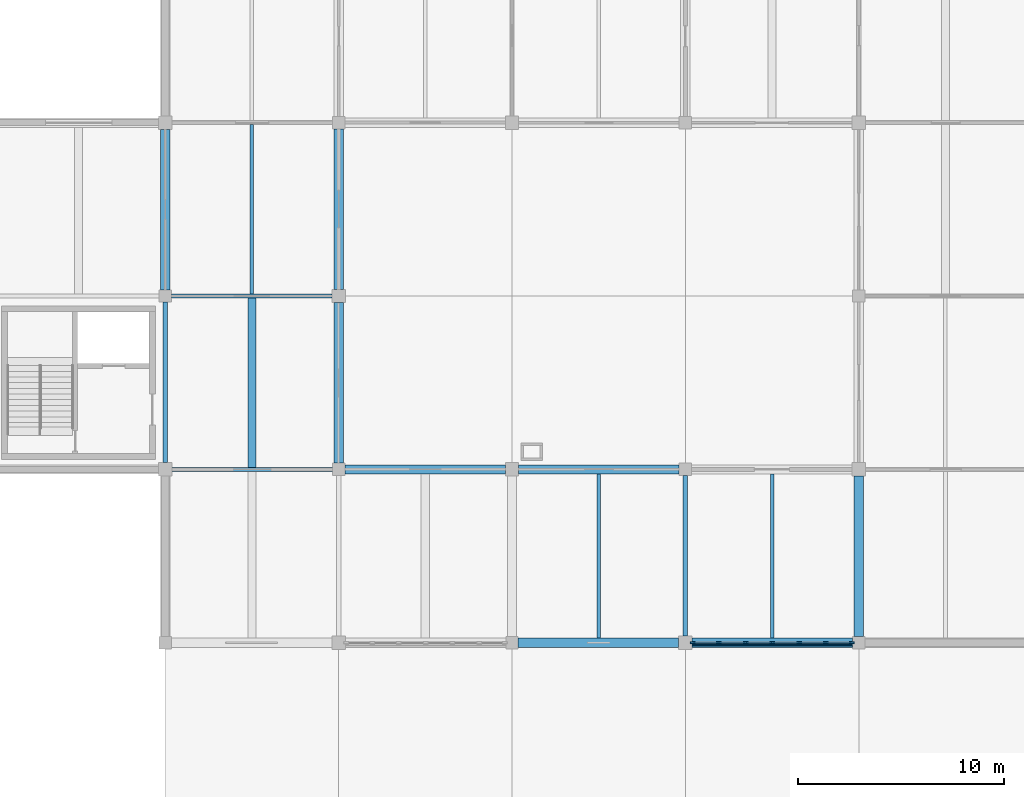
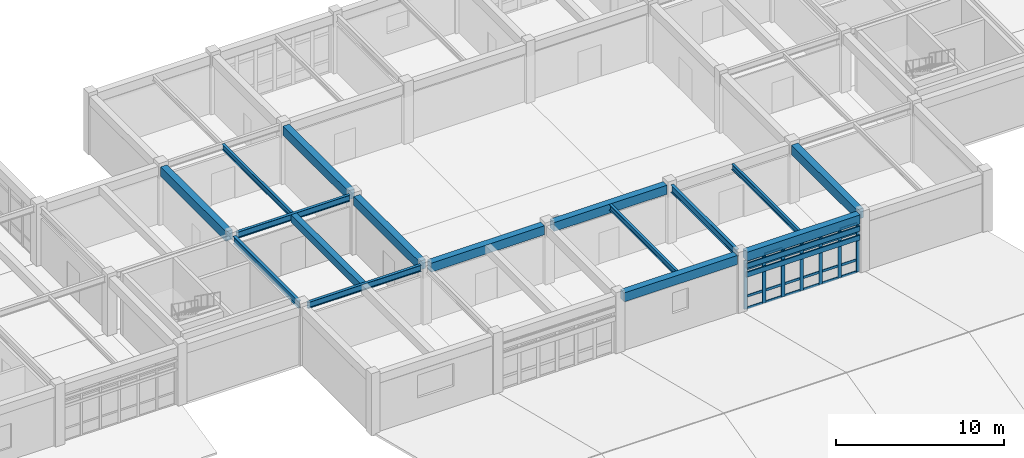
# One storey, part 7 of 78: 33 members, 16 beams, 1 element without a shape of its own.
"""IFC4 building model written with IfcOpenShell, lengths in metres."""

from ifc_helpers import new_model, si_unit, direction, frame, origin, origin_2d, place, context, subcontext, project, spatial, rectangle, i_section, extrude, material, layer, layer_set, material_profile, profile_set, type_object, element, aggregate, save


model = new_model("IFC4")

# Units and contexts
model_context = context("Model", 3, precision=1e-05, world=origin(), true_north=direction((0.0, 1.0)))
body_context = subcontext(model_context, "Body", "Model", "MODEL_VIEW")
ifc_project = project(units=[si_unit("LENGTHUNIT", "METRE"), si_unit("AREAUNIT", "SQUARE_METRE"), si_unit("VOLUMEUNIT", "CUBIC_METRE"), si_unit("PLANEANGLEUNIT", "RADIAN"), si_unit("MASSUNIT", "GRAM", prefix="KILO")], contexts=[model_context])

# Site, building, storey
site_placement = place(None, origin())
site = spatial("IfcSite", under=ifc_project, at=site_placement, CompositionType="ELEMENT")
building_placement = place(site_placement, origin())
building = spatial("IfcBuilding", under=site, at=building_placement, Name="Porcellanite Civic Hall", CompositionType="ELEMENT")
storey_placement = place(building_placement, frame((0.0, 0.0, 10.260009765625)))
storey = spatial("IfcBuildingStorey", under=building, at=storey_placement, Name="L02", CompositionType="ELEMENT", Elevation=10.260009765625)

# Beams
ifc_material_1 = material(Name="Concrete N50 (50 MPa)", Category="concrete")
ifc_material_profile_1 = material_profile(ifc_material_1, rectangle(XDim=0.39990234375, YDim=0.550048828125, at=origin_2d()), Name="RC-400x550")
ifc_profile_set_1 = profile_set([ifc_material_profile_1], Name="Concrete N50 (50 MPa)")
beam_type_1 = type_object("IfcBeamType", Name="BM-RC550", PredefinedType="JOIST", material=ifc_profile_set_1)
beam_1_placement = place(storey_placement, frame((71.39990234375, 50.494384765625, 3.965087890625), z_axis=(0.0, 1.0, 0.0), x_axis=(-1.0, 0.0, 0.0)))
element("IfcBeam", 1, at=beam_1_placement, inside=storey, type_object=beam_type_1, Name="Secondary joist L02 9-7", PredefinedType="JOIST", context=body_context, shape_type="SweptSolid", body=[
    extrude(rectangle(XDim=0.39990234375, YDim=0.550048828125, at=origin_2d()), origin(), (0.0, 0.0, 1.0), 8.211181640625),
])
ifc_material_2 = material(Name="Concrete N50 (50 MPa)", Category="concrete")
ifc_material_profile_2 = material_profile(ifc_material_2, rectangle(XDim=0.449951171875, YDim=0.64990234375, at=origin_2d()), Name="RC-450x650")
ifc_profile_set_2 = profile_set([ifc_material_profile_2], Name="Concrete N50 (50 MPa)")
beam_type_2 = type_object("IfcBeamType", Name="BM-RC650", PredefinedType="SPANDREL", material=ifc_profile_set_2)
beam_2_placement = place(storey_placement, frame((75.8994140625, 50.39990234375, 3.9150390625), z_axis=(1.0, 0.0, 0.0), x_axis=(0.0, 1.0, 0.0)))
element("IfcBeam", 2, at=beam_2_placement, inside=storey, type_object=beam_type_2, Name="Beam X L02 10-7", PredefinedType="SPANDREL", context=body_context, shape_type="SweptSolid", body=[
    extrude(rectangle(XDim=0.449951171875, YDim=0.64990234375, at=origin_2d()), origin(), (0.0, 0.0, 1.0), 7.776123046875),
])
beam_3_placement = place(storey_placement, frame((84.299560546875, 42.0, 3.9150390625), z_axis=(1.0, 0.0, 0.0), x_axis=(0.0, 1.0, 0.0)))
element("IfcBeam", 3, at=beam_3_placement, inside=storey, type_object=beam_type_2, Name="Beam X L02 11-6", PredefinedType="SPANDREL", context=body_context, shape_type="SweptSolid", body=[
    extrude(rectangle(XDim=0.449951171875, YDim=0.64990234375, at=origin_2d()), origin(), (0.0, 0.0, 1.0), 7.77587890625),
])
beam_4_placement = place(storey_placement, frame((84.324462890625, 50.39990234375, 3.9150390625), z_axis=(1.0, 0.0, 0.0), x_axis=(0.0, 1.0, 0.0)))
element("IfcBeam", 4, at=beam_4_placement, inside=storey, type_object=beam_type_2, Name="Beam X L02 11-7", PredefinedType="SPANDREL", context=body_context, shape_type="SweptSolid", body=[
    extrude(rectangle(XDim=0.449951171875, YDim=0.64990234375, at=origin_2d()), origin(), (0.0, 0.0, 1.0), 7.776123046875),
])
beam_5_placement = place(storey_placement, frame((92.724609375, 42.0, 3.9150390625), z_axis=(1.0, 0.0, 0.0), x_axis=(0.0, 1.0, 0.0)))
element("IfcBeam", 5, at=beam_5_placement, inside=storey, type_object=beam_type_2, Name="Beam X L02 12-6", PredefinedType="SPANDREL", context=body_context, shape_type="SweptSolid", body=[
    extrude(rectangle(XDim=0.449951171875, YDim=0.64990234375, at=origin_2d()), origin(), (0.0, 0.0, 1.0), 7.77587890625),
])
beam_6_placement = place(storey_placement, frame((75.60009765625, 50.699462890625, 3.9150390625), z_axis=(0.0, 1.0, 0.0), x_axis=(-1.0, 0.0, 0.0)))
element("IfcBeam", 6, at=beam_6_placement, inside=storey, type_object=beam_type_2, Name="Beam Y L02 10-7", PredefinedType="SPANDREL", context=body_context, shape_type="SweptSolid", body=[
    extrude(rectangle(XDim=0.449951171875, YDim=0.64990234375, at=origin_2d()), origin(), (0.0, 0.0, 1.0), 7.776123046875),
])
beam_7_placement = place(storey_placement, frame((75.60009765625, 59.12451171875, 3.9150390625), z_axis=(0.0, 1.0, 0.0), x_axis=(-1.0, 0.0, 0.0)))
element("IfcBeam", 7, at=beam_7_placement, inside=storey, type_object=beam_type_2, Name="Beam Y L02 10-8", PredefinedType="SPANDREL", context=body_context, shape_type="SweptSolid", body=[
    extrude(rectangle(XDim=0.449951171875, YDim=0.64990234375, at=origin_2d()), origin(), (0.0, 0.0, 1.0), 7.77587890625),
])
ifc_material_3 = material(Name="Concrete N50 (50 MPa)", Category="concrete")
ifc_material_profile_3 = material_profile(ifc_material_3, rectangle(XDim=0.449951171875, YDim=0.699951171875, at=origin_2d()), Name="RC-450x700")
ifc_profile_set_3 = profile_set([ifc_material_profile_3], Name="Concrete N50 (50 MPa)")
beam_type_3 = type_object("IfcBeamType", Name="BM-RC700", PredefinedType="BEAM", material=ifc_profile_set_3)
for number, where, z_axis, x_axis, name in (
    (8, (67.199951171875, 59.099609375, 3.889892578125), (0.0, 1.0, 0.0), (-1.0, 0.0, 0.0), "Beam Y L02 9-8"),
    (9, (100.800048828125, 42.299560546875, 3.889892578125), (0.0, 1.0, 0.0), (-1.0, 0.0, 0.0), "Beam Y L02 13-6"),
):
    element("IfcBeam", number, at=place(storey_placement, frame(where, z_axis=z_axis, x_axis=x_axis)), inside=storey, type_object=beam_type_3, Name=name, PredefinedType="BEAM", context=body_context, shape_type="SweptSolid", body=[
        extrude(rectangle(XDim=0.449951171875, YDim=0.699951171875, at=origin_2d()), origin(), (0.0, 0.0, 1.0), 7.77587890625),
    ])

# Curtain wall, members
ifc_material_4 = material(Name="Anodised aluminium and solar laminated glass", Category="aluminium")
ifc_layer = layer(ifc_material_4, 0.179931640625)
ifc_layer_set = layer_set([ifc_layer], Name="Anodised aluminium and solar laminated glass")
curtain_wall_type = type_object("IfcCurtainWallType", Name="CW-SYS01", PredefinedType="NOTDEFINED", material=ifc_layer_set)
curtain_wall_placement = place(storey_placement, origin())
curtain_wall = element("IfcCurtainWall", 10, at=curtain_wall_placement, inside=storey, type_object=curtain_wall_type, Name="Curtain wall CW-156", PredefinedType="NOTDEFINED")
ifc_material_5 = material(Name="Anodised aluminium 6063-T6", Category="aluminium")
ifc_material_profile_4 = material_profile(ifc_material_5, rectangle(XDim=0.080078125, YDim=0.239990234375, at=origin_2d()), Name="AL-80x240")
ifc_profile_set_4 = profile_set([ifc_material_profile_4], Name="Anodised aluminium 6063-T6")
member_type_1 = type_object("IfcMemberType", Name="CWM-01", PredefinedType="MULLION", material=ifc_profile_set_4)
member_1_placement = place(storey_placement, frame((100.458984375, 42.0, 0.0), z_axis=(0.0, 0.0, 1.0), x_axis=(0.0, -1.0, 0.0)))
member_1 = element("IfcMember", 11, at=member_1_placement, type_object=member_type_1, Name="CW-156 mullion 1", PredefinedType="MULLION", context=body_context, shape_type="SweptSolid", body=[
    extrude(rectangle(XDim=0.080078125, YDim=0.239990234375, at=origin_2d()), origin(), (0.0, 0.0, 1.0), 3.5400390625),
])
member_2_placement = place(storey_placement, frame((99.20361328125, 42.0, 0.0), z_axis=(0.0, 0.0, 1.0), x_axis=(0.0, -1.0, 0.0)))
member_2 = element("IfcMember", 12, at=member_2_placement, type_object=member_type_1, Name="CW-156 mullion 2", PredefinedType="MULLION", context=body_context, shape_type="SweptSolid", body=[
    extrude(rectangle(XDim=0.080078125, YDim=0.239990234375, at=origin_2d()), origin(), (0.0, 0.0, 1.0), 3.5400390625),
])
member_3_placement = place(storey_placement, frame((97.907958984375, 42.0, 0.0), z_axis=(0.0, 0.0, 1.0), x_axis=(0.0, -1.0, 0.0)))
member_3 = element("IfcMember", 13, at=member_3_placement, type_object=member_type_1, Name="CW-156 mullion 3", PredefinedType="MULLION", context=body_context, shape_type="SweptSolid", body=[
    extrude(rectangle(XDim=0.080078125, YDim=0.239990234375, at=origin_2d()), origin(), (0.0, 0.0, 1.0), 3.5400390625),
])
member_4_placement = place(storey_placement, frame((96.612548828125, 42.0, 0.0), z_axis=(0.0, 0.0, 1.0), x_axis=(0.0, -1.0, 0.0)))
member_4 = element("IfcMember", 14, at=member_4_placement, type_object=member_type_1, Name="CW-156 mullion 4", PredefinedType="MULLION", context=body_context, shape_type="SweptSolid", body=[
    extrude(rectangle(XDim=0.080078125, YDim=0.239990234375, at=origin_2d()), origin(), (0.0, 0.0, 1.0), 3.5400390625),
])
member_5_placement = place(storey_placement, frame((95.31689453125, 42.0, 0.0), z_axis=(0.0, 0.0, 1.0), x_axis=(0.0, -1.0, 0.0)))
member_5 = element("IfcMember", 15, at=member_5_placement, type_object=member_type_1, Name="CW-156 mullion 5", PredefinedType="MULLION", context=body_context, shape_type="SweptSolid", body=[
    extrude(rectangle(XDim=0.080078125, YDim=0.239990234375, at=origin_2d()), origin(), (0.0, 0.0, 1.0), 3.5400390625),
])
member_6_placement = place(storey_placement, frame((94.021484375, 42.0, 0.0), z_axis=(0.0, 0.0, 1.0), x_axis=(0.0, -1.0, 0.0)))
member_6 = element("IfcMember", 16, at=member_6_placement, type_object=member_type_1, Name="CW-156 mullion 6", PredefinedType="MULLION", context=body_context, shape_type="SweptSolid", body=[
    extrude(rectangle(XDim=0.080078125, YDim=0.239990234375, at=origin_2d()), origin(), (0.0, 0.0, 1.0), 3.5400390625),
])
member_7_placement = place(storey_placement, frame((92.76611328125, 42.0, 0.0), z_axis=(0.0, 0.0, 1.0), x_axis=(0.0, -1.0, 0.0)))
member_7 = element("IfcMember", 17, at=member_7_placement, type_object=member_type_1, Name="CW-156 mullion 7", PredefinedType="MULLION", context=body_context, shape_type="SweptSolid", body=[
    extrude(rectangle(XDim=0.080078125, YDim=0.239990234375, at=origin_2d()), origin(), (0.0, 0.0, 1.0), 3.5400390625),
])
ifc_material_6 = material(Name="Anodised aluminium 6063-T6", Category="aluminium")
ifc_material_profile_5 = material_profile(ifc_material_6, rectangle(XDim=0.070068359375, YDim=0.175048828125, at=origin_2d()), Name="AL-70x175")
ifc_profile_set_5 = profile_set([ifc_material_profile_5], Name="Anodised aluminium 6063-T6")
member_type_2 = type_object("IfcMemberType", Name="CWT-01", PredefinedType="USERDEFINED", material=ifc_profile_set_5)
member_8_placement = place(storey_placement, frame((100.4189453125, 42.0, 0.034912109375), z_axis=(-1.0, 0.0, 0.0), x_axis=(0.0, -1.0, 0.0)))
member_8 = element("IfcMember", 18, at=member_8_placement, type_object=member_type_2, Name="CW-156 transom 1.1", ObjectType="TRANSOM", PredefinedType="USERDEFINED", context=body_context, shape_type="SweptSolid", body=[
    extrude(rectangle(XDim=0.070068359375, YDim=0.175048828125, at=origin_2d()), origin(), (0.0, 0.0, 1.0), 1.175537109375),
])
member_9_placement = place(storey_placement, frame((100.4189453125, 42.0, 0.89990234375), z_axis=(-1.0, 0.0, 0.0), x_axis=(0.0, -1.0, 0.0)))
member_9 = element("IfcMember", 19, at=member_9_placement, type_object=member_type_2, Name="CW-156 transom 1.2", ObjectType="TRANSOM", PredefinedType="USERDEFINED", context=body_context, shape_type="SweptSolid", body=[
    extrude(rectangle(XDim=0.070068359375, YDim=0.175048828125, at=origin_2d()), origin(), (0.0, 0.0, 1.0), 1.175537109375),
])
member_10_placement = place(storey_placement, frame((100.4189453125, 42.0, 2.889892578125), z_axis=(-1.0, 0.0, 0.0), x_axis=(0.0, -1.0, 0.0)))
member_10 = element("IfcMember", 20, at=member_10_placement, type_object=member_type_2, Name="CW-156 transom 1.3", ObjectType="TRANSOM", PredefinedType="USERDEFINED", context=body_context, shape_type="SweptSolid", body=[
    extrude(rectangle(XDim=0.070068359375, YDim=0.175048828125, at=origin_2d()), origin(), (0.0, 0.0, 1.0), 1.175537109375),
])
member_11_placement = place(storey_placement, frame((100.4189453125, 42.0, 3.5048828125), z_axis=(-1.0, 0.0, 0.0), x_axis=(0.0, -1.0, 0.0)))
member_11 = element("IfcMember", 21, at=member_11_placement, type_object=member_type_2, Name="CW-156 transom 1.4", ObjectType="TRANSOM", PredefinedType="USERDEFINED", context=body_context, shape_type="SweptSolid", body=[
    extrude(rectangle(XDim=0.070068359375, YDim=0.175048828125, at=origin_2d()), origin(), (0.0, 0.0, 1.0), 1.175537109375),
])
member_12_placement = place(storey_placement, frame((99.16357421875, 42.0, 0.034912109375), z_axis=(-1.0, 0.0, 0.0), x_axis=(0.0, -1.0, 0.0)))
member_12 = element("IfcMember", 22, at=member_12_placement, type_object=member_type_2, Name="CW-156 transom 2.1", ObjectType="TRANSOM", PredefinedType="USERDEFINED", context=body_context, shape_type="SweptSolid", body=[
    extrude(rectangle(XDim=0.070068359375, YDim=0.175048828125, at=origin_2d()), origin(), (0.0, 0.0, 1.0), 1.215576171875),
])
member_13_placement = place(storey_placement, frame((99.16357421875, 42.0, 0.89990234375), z_axis=(-1.0, 0.0, 0.0), x_axis=(0.0, -1.0, 0.0)))
member_13 = element("IfcMember", 23, at=member_13_placement, type_object=member_type_2, Name="CW-156 transom 2.2", ObjectType="TRANSOM", PredefinedType="USERDEFINED", context=body_context, shape_type="SweptSolid", body=[
    extrude(rectangle(XDim=0.070068359375, YDim=0.175048828125, at=origin_2d()), origin(), (0.0, 0.0, 1.0), 1.215576171875),
])
member_14_placement = place(storey_placement, frame((99.16357421875, 42.0, 2.889892578125), z_axis=(-1.0, 0.0, 0.0), x_axis=(0.0, -1.0, 0.0)))
member_14 = element("IfcMember", 24, at=member_14_placement, type_object=member_type_2, Name="CW-156 transom 2.3", ObjectType="TRANSOM", PredefinedType="USERDEFINED", context=body_context, shape_type="SweptSolid", body=[
    extrude(rectangle(XDim=0.070068359375, YDim=0.175048828125, at=origin_2d()), origin(), (0.0, 0.0, 1.0), 1.215576171875),
])
member_15_placement = place(storey_placement, frame((99.16357421875, 42.0, 3.5048828125), z_axis=(-1.0, 0.0, 0.0), x_axis=(0.0, -1.0, 0.0)))
member_15 = element("IfcMember", 25, at=member_15_placement, type_object=member_type_2, Name="CW-156 transom 2.4", ObjectType="TRANSOM", PredefinedType="USERDEFINED", context=body_context, shape_type="SweptSolid", body=[
    extrude(rectangle(XDim=0.070068359375, YDim=0.175048828125, at=origin_2d()), origin(), (0.0, 0.0, 1.0), 1.215576171875),
])
member_16_placement = place(storey_placement, frame((97.867919921875, 42.0, 0.034912109375), z_axis=(-1.0, 0.0, 0.0), x_axis=(0.0, -1.0, 0.0)))
member_16 = element("IfcMember", 26, at=member_16_placement, type_object=member_type_2, Name="CW-156 transom 3.1", ObjectType="TRANSOM", PredefinedType="USERDEFINED", context=body_context, shape_type="SweptSolid", body=[
    extrude(rectangle(XDim=0.070068359375, YDim=0.175048828125, at=origin_2d()), origin(), (0.0, 0.0, 1.0), 1.21533203125),
])
member_17_placement = place(storey_placement, frame((97.867919921875, 42.0, 0.89990234375), z_axis=(-1.0, 0.0, 0.0), x_axis=(0.0, -1.0, 0.0)))
member_17 = element("IfcMember", 27, at=member_17_placement, type_object=member_type_2, Name="CW-156 transom 3.2", ObjectType="TRANSOM", PredefinedType="USERDEFINED", context=body_context, shape_type="SweptSolid", body=[
    extrude(rectangle(XDim=0.070068359375, YDim=0.175048828125, at=origin_2d()), origin(), (0.0, 0.0, 1.0), 1.21533203125),
])
member_18_placement = place(storey_placement, frame((97.867919921875, 42.0, 2.889892578125), z_axis=(-1.0, 0.0, 0.0), x_axis=(0.0, -1.0, 0.0)))
member_18 = element("IfcMember", 28, at=member_18_placement, type_object=member_type_2, Name="CW-156 transom 3.3", ObjectType="TRANSOM", PredefinedType="USERDEFINED", context=body_context, shape_type="SweptSolid", body=[
    extrude(rectangle(XDim=0.070068359375, YDim=0.175048828125, at=origin_2d()), origin(), (0.0, 0.0, 1.0), 1.21533203125),
])
member_19_placement = place(storey_placement, frame((97.867919921875, 42.0, 3.5048828125), z_axis=(-1.0, 0.0, 0.0), x_axis=(0.0, -1.0, 0.0)))
member_19 = element("IfcMember", 29, at=member_19_placement, type_object=member_type_2, Name="CW-156 transom 3.4", ObjectType="TRANSOM", PredefinedType="USERDEFINED", context=body_context, shape_type="SweptSolid", body=[
    extrude(rectangle(XDim=0.070068359375, YDim=0.175048828125, at=origin_2d()), origin(), (0.0, 0.0, 1.0), 1.21533203125),
])
member_20_placement = place(storey_placement, frame((96.572509765625, 42.0, 0.034912109375), z_axis=(-1.0, 0.0, 0.0), x_axis=(0.0, -1.0, 0.0)))
member_20 = element("IfcMember", 30, at=member_20_placement, type_object=member_type_2, Name="CW-156 transom 4.1", ObjectType="TRANSOM", PredefinedType="USERDEFINED", context=body_context, shape_type="SweptSolid", body=[
    extrude(rectangle(XDim=0.070068359375, YDim=0.175048828125, at=origin_2d()), origin(), (0.0, 0.0, 1.0), 1.215576171875),
])
member_21_placement = place(storey_placement, frame((96.572509765625, 42.0, 0.89990234375), z_axis=(-1.0, 0.0, 0.0), x_axis=(0.0, -1.0, 0.0)))
member_21 = element("IfcMember", 31, at=member_21_placement, type_object=member_type_2, Name="CW-156 transom 4.2", ObjectType="TRANSOM", PredefinedType="USERDEFINED", context=body_context, shape_type="SweptSolid", body=[
    extrude(rectangle(XDim=0.070068359375, YDim=0.175048828125, at=origin_2d()), origin(), (0.0, 0.0, 1.0), 1.215576171875),
])
member_22_placement = place(storey_placement, frame((96.572509765625, 42.0, 2.889892578125), z_axis=(-1.0, 0.0, 0.0), x_axis=(0.0, -1.0, 0.0)))
member_22 = element("IfcMember", 32, at=member_22_placement, type_object=member_type_2, Name="CW-156 transom 4.3", ObjectType="TRANSOM", PredefinedType="USERDEFINED", context=body_context, shape_type="SweptSolid", body=[
    extrude(rectangle(XDim=0.070068359375, YDim=0.175048828125, at=origin_2d()), origin(), (0.0, 0.0, 1.0), 1.215576171875),
])
member_23_placement = place(storey_placement, frame((96.572509765625, 42.0, 3.5048828125), z_axis=(-1.0, 0.0, 0.0), x_axis=(0.0, -1.0, 0.0)))
member_23 = element("IfcMember", 33, at=member_23_placement, type_object=member_type_2, Name="CW-156 transom 4.4", ObjectType="TRANSOM", PredefinedType="USERDEFINED", context=body_context, shape_type="SweptSolid", body=[
    extrude(rectangle(XDim=0.070068359375, YDim=0.175048828125, at=origin_2d()), origin(), (0.0, 0.0, 1.0), 1.215576171875),
])
member_24_placement = place(storey_placement, frame((95.277099609375, 42.0, 0.034912109375), z_axis=(-1.0, 0.0, 0.0), x_axis=(0.0, -1.0, 0.0)))
member_24 = element("IfcMember", 34, at=member_24_placement, type_object=member_type_2, Name="CW-156 transom 5.1", ObjectType="TRANSOM", PredefinedType="USERDEFINED", context=body_context, shape_type="SweptSolid", body=[
    extrude(rectangle(XDim=0.070068359375, YDim=0.175048828125, at=origin_2d()), origin(), (0.0, 0.0, 1.0), 1.215576171875),
])
member_25_placement = place(storey_placement, frame((95.277099609375, 42.0, 0.89990234375), z_axis=(-1.0, 0.0, 0.0), x_axis=(0.0, -1.0, 0.0)))
member_25 = element("IfcMember", 35, at=member_25_placement, type_object=member_type_2, Name="CW-156 transom 5.2", ObjectType="TRANSOM", PredefinedType="USERDEFINED", context=body_context, shape_type="SweptSolid", body=[
    extrude(rectangle(XDim=0.070068359375, YDim=0.175048828125, at=origin_2d()), origin(), (0.0, 0.0, 1.0), 1.215576171875),
])
member_26_placement = place(storey_placement, frame((95.277099609375, 42.0, 2.889892578125), z_axis=(-1.0, 0.0, 0.0), x_axis=(0.0, -1.0, 0.0)))
member_26 = element("IfcMember", 36, at=member_26_placement, type_object=member_type_2, Name="CW-156 transom 5.3", ObjectType="TRANSOM", PredefinedType="USERDEFINED", context=body_context, shape_type="SweptSolid", body=[
    extrude(rectangle(XDim=0.070068359375, YDim=0.175048828125, at=origin_2d()), origin(), (0.0, 0.0, 1.0), 1.215576171875),
])
member_27_placement = place(storey_placement, frame((95.277099609375, 42.0, 3.5048828125), z_axis=(-1.0, 0.0, 0.0), x_axis=(0.0, -1.0, 0.0)))
member_27 = element("IfcMember", 37, at=member_27_placement, type_object=member_type_2, Name="CW-156 transom 5.4", ObjectType="TRANSOM", PredefinedType="USERDEFINED", context=body_context, shape_type="SweptSolid", body=[
    extrude(rectangle(XDim=0.070068359375, YDim=0.175048828125, at=origin_2d()), origin(), (0.0, 0.0, 1.0), 1.215576171875),
])
member_28_placement = place(storey_placement, frame((93.9814453125, 42.0, 0.034912109375), z_axis=(-1.0, 0.0, 0.0), x_axis=(0.0, -1.0, 0.0)))
member_28 = element("IfcMember", 38, at=member_28_placement, type_object=member_type_2, Name="CW-156 transom 6.1", ObjectType="TRANSOM", PredefinedType="USERDEFINED", context=body_context, shape_type="SweptSolid", body=[
    extrude(rectangle(XDim=0.070068359375, YDim=0.175048828125, at=origin_2d()), origin(), (0.0, 0.0, 1.0), 1.175537109375),
])
member_29_placement = place(storey_placement, frame((93.9814453125, 42.0, 0.89990234375), z_axis=(-1.0, 0.0, 0.0), x_axis=(0.0, -1.0, 0.0)))
member_29 = element("IfcMember", 39, at=member_29_placement, type_object=member_type_2, Name="CW-156 transom 6.2", ObjectType="TRANSOM", PredefinedType="USERDEFINED", context=body_context, shape_type="SweptSolid", body=[
    extrude(rectangle(XDim=0.070068359375, YDim=0.175048828125, at=origin_2d()), origin(), (0.0, 0.0, 1.0), 1.175537109375),
])
member_30_placement = place(storey_placement, frame((93.9814453125, 42.0, 2.889892578125), z_axis=(-1.0, 0.0, 0.0), x_axis=(0.0, -1.0, 0.0)))
member_30 = element("IfcMember", 40, at=member_30_placement, type_object=member_type_2, Name="CW-156 transom 6.3", ObjectType="TRANSOM", PredefinedType="USERDEFINED", context=body_context, shape_type="SweptSolid", body=[
    extrude(rectangle(XDim=0.070068359375, YDim=0.175048828125, at=origin_2d()), origin(), (0.0, 0.0, 1.0), 1.175537109375),
])
member_31_placement = place(storey_placement, frame((93.9814453125, 42.0, 3.5048828125), z_axis=(-1.0, 0.0, 0.0), x_axis=(0.0, -1.0, 0.0)))
member_31 = element("IfcMember", 41, at=member_31_placement, type_object=member_type_2, Name="CW-156 transom 6.4", ObjectType="TRANSOM", PredefinedType="USERDEFINED", context=body_context, shape_type="SweptSolid", body=[
    extrude(rectangle(XDim=0.070068359375, YDim=0.175048828125, at=origin_2d()), origin(), (0.0, 0.0, 1.0), 1.175537109375),
])
aggregate(curtain_wall, [member_1, member_2, member_3, member_4, member_5, member_6, member_7, member_8, member_9, member_10, member_11, member_12, member_13, member_14, member_15, member_16, member_17, member_18, member_19, member_20, member_21, member_22, member_23, member_24, member_25, member_26, member_27, member_28, member_29, member_30, member_31])

# Beams
ifc_material_7 = material(Name="Steel Grade 350", Category="steel")
ifc_material_profile_6 = material_profile(ifc_material_7, i_section(OverallWidth=0.177978515625, OverallDepth=0.403076171875, WebThickness=0.007568359375, FlangeThickness=0.010986328125, FilletRadius=0.011474609375, at=origin_2d()), Name="410UB53.7")
ifc_profile_set_6 = profile_set([ifc_material_profile_6], Name="Steel Grade 350")
beam_type_4 = type_object("IfcBeamType", Name="JST-410UB54", PredefinedType="JOIST", material=ifc_profile_set_6)
beam_8_placement = place(storey_placement, frame((96.60009765625, 42.224609375, 4.03857421875), z_axis=(0.0, 1.0, 0.0), x_axis=(-1.0, 0.0, 0.0)))
element("IfcBeam", 42, at=beam_8_placement, inside=storey, type_object=beam_type_4, Name="Secondary joist L02 12-6", PredefinedType="JOIST", context=body_context, shape_type="SweptSolid", body=[
    extrude(i_section(OverallWidth=0.177978515625, OverallDepth=0.403076171875, WebThickness=0.007568359375, FlangeThickness=0.010986328125, FilletRadius=0.011474609375, at=origin_2d()), origin(), (0.0, 0.0, 1.0), 7.950927734375),
])
ifc_material_8 = material(Name="Steel Grade 350", Category="steel")
ifc_material_profile_7 = material_profile(ifc_material_8, i_section(OverallWidth=0.177978515625, OverallDepth=0.406005859375, WebThickness=0.0078125, FlangeThickness=0.0126953125, FilletRadius=0.011474609375, at=origin_2d()), Name="410UB59.7")
ifc_profile_set_7 = profile_set([ifc_material_profile_7], Name="Steel Grade 350")
beam_type_5 = type_object("IfcBeamType", Name="JST-410UB60", PredefinedType="JOIST", material=ifc_profile_set_7)
beam_9_placement = place(storey_placement, frame((71.39990234375, 58.89453125, 4.037109375), z_axis=(0.0, 1.0, 0.0), x_axis=(-1.0, 0.0, 0.0)))
element("IfcBeam", 43, at=beam_9_placement, inside=storey, type_object=beam_type_5, Name="Secondary joist L02 9-8", PredefinedType="JOIST", context=body_context, shape_type="SweptSolid", body=[
    extrude(i_section(OverallWidth=0.177978515625, OverallDepth=0.406005859375, WebThickness=0.0078125, FlangeThickness=0.0126953125, FilletRadius=0.011474609375, at=origin_2d()), origin(), (0.0, 0.0, 1.0), 8.2109375),
])
beam_10_placement = place(storey_placement, frame((88.199951171875, 42.224609375, 4.037109375), z_axis=(0.0, 1.0, 0.0), x_axis=(-1.0, 0.0, 0.0)))
element("IfcBeam", 44, at=beam_10_placement, inside=storey, type_object=beam_type_5, Name="Secondary joist L02 11-6", PredefinedType="JOIST", context=body_context, shape_type="SweptSolid", body=[
    extrude(i_section(OverallWidth=0.177978515625, OverallDepth=0.406005859375, WebThickness=0.0078125, FlangeThickness=0.0126953125, FilletRadius=0.011474609375, at=origin_2d()), origin(), (0.0, 0.0, 1.0), 7.950927734375),
])

# Members
ifc_material_9 = material(Name="Fluoropolymer bauxite-red aluminium 6063-T6", Category="aluminium")
ifc_material_profile_8 = material_profile(ifc_material_9, rectangle(XDim=0.090087890625, YDim=0.360107421875, at=origin_2d()), Name="AL-90x360")
ifc_profile_set_8 = profile_set([ifc_material_profile_8], Name="Fluoropolymer bauxite-red aluminium 6063-T6")
member_type_3 = type_object("IfcMemberType", Name="LV-BLD01", PredefinedType="USERDEFINED", material=ifc_profile_set_8)
for number, where, z_axis, x_axis, name in (
    (45, (100.50048828125, 41.8330078125, 3.239990234375), (-1.0, 0.0, 0.0), (0.0, -1.0, 0.0), "Cyclone sunshade louvre L02 S 11-5 1"),
    (46, (100.50048828125, 41.8330078125, 2.590087890625), (-1.0, 0.0, 0.0), (0.0, -1.0, 0.0), "Cyclone sunshade louvre L02 S 11-5 2"),
):
    element("IfcMember", number, at=place(storey_placement, frame(where, z_axis=z_axis, x_axis=x_axis)), inside=storey, type_object=member_type_3, Name=name, ObjectType="LOUVRE BLADE", PredefinedType="USERDEFINED", context=body_context, shape_type="SweptSolid", body=[
        extrude(rectangle(XDim=0.090087890625, YDim=0.360107421875, at=origin_2d()), origin(), (0.0, 0.0, 1.0), 7.77587890625),
    ])

# Beams
ifc_material_10 = material(Name="Steel Grade 350", Category="steel")
ifc_material_profile_9 = material_profile(ifc_material_10, i_section(OverallWidth=0.18994140625, OverallDepth=0.4541015625, WebThickness=0.008544921875, FlangeThickness=0.0126953125, FilletRadius=0.011474609375, at=origin_2d()), Name="460UB67.1")
ifc_profile_set_9 = profile_set([ifc_material_profile_9], Name="Steel Grade 350")
beam_type_6 = type_object("IfcBeamType", Name="RAF-460UB67", PredefinedType="BEAM", material=ifc_profile_set_9)
beam_11_placement = place(storey_placement, frame((67.5244140625, 50.39990234375, 4.012939453125), z_axis=(1.0, 0.0, 0.0), x_axis=(0.0, 1.0, 0.0)))
element("IfcBeam", 47, at=beam_11_placement, inside=storey, type_object=beam_type_6, Name="Beam X L02 9-7", PredefinedType="BEAM", context=body_context, shape_type="SweptSolid", body=[
    extrude(i_section(OverallWidth=0.18994140625, OverallDepth=0.4541015625, WebThickness=0.008544921875, FlangeThickness=0.0126953125, FilletRadius=0.011474609375, at=origin_2d()), origin(), (0.0, 0.0, 1.0), 7.776123046875),
])
beam_12_placement = place(storey_placement, frame((67.49951171875, 58.800048828125, 4.012939453125), z_axis=(1.0, 0.0, 0.0), x_axis=(0.0, 1.0, 0.0)))
element("IfcBeam", 48, at=beam_12_placement, inside=storey, type_object=beam_type_6, Name="Beam X L02 9-8", PredefinedType="BEAM", context=body_context, shape_type="SweptSolid", body=[
    extrude(i_section(OverallWidth=0.18994140625, OverallDepth=0.4541015625, WebThickness=0.008544921875, FlangeThickness=0.0126953125, FilletRadius=0.011474609375, at=origin_2d()), origin(), (0.0, 0.0, 1.0), 7.77587890625),
])
ifc_material_11 = material(Name="Steel Grade 350", Category="steel")
ifc_material_profile_10 = material_profile(ifc_material_11, i_section(OverallWidth=0.208984375, OverallDepth=0.528076171875, WebThickness=0.009521484375, FlangeThickness=0.01318359375, FilletRadius=0.013916015625, at=origin_2d()), Name="530UB82.0")
ifc_profile_set_10 = profile_set([ifc_material_profile_10], Name="Steel Grade 350")
beam_type_7 = type_object("IfcBeamType", Name="RAF-530UB82", PredefinedType="BEAM", material=ifc_profile_set_10)
beam_13_placement = place(storey_placement, frame((67.199951171875, 50.724609375, 3.97607421875), z_axis=(0.0, 1.0, 0.0), x_axis=(-1.0, 0.0, 0.0)))
element("IfcBeam", 49, at=beam_13_placement, inside=storey, type_object=beam_type_7, Name="Beam Y L02 9-7", PredefinedType="BEAM", context=body_context, shape_type="SweptSolid", body=[
    extrude(i_section(OverallWidth=0.208984375, OverallDepth=0.528076171875, WebThickness=0.009521484375, FlangeThickness=0.01318359375, FilletRadius=0.013916015625, at=origin_2d()), origin(), (0.0, 0.0, 1.0), 7.77587890625),
])
beam_14_placement = place(storey_placement, frame((92.39990234375, 42.324462890625, 3.97607421875), z_axis=(0.0, 1.0, 0.0), x_axis=(-1.0, 0.0, 0.0)))
element("IfcBeam", 50, at=beam_14_placement, inside=storey, type_object=beam_type_7, Name="Beam Y L02 12-6", PredefinedType="BEAM", context=body_context, shape_type="SweptSolid", body=[
    extrude(i_section(OverallWidth=0.208984375, OverallDepth=0.528076171875, WebThickness=0.009521484375, FlangeThickness=0.01318359375, FilletRadius=0.013916015625, at=origin_2d()), origin(), (0.0, 0.0, 1.0), 7.776123046875),
])

save(model, "model.ifc")
